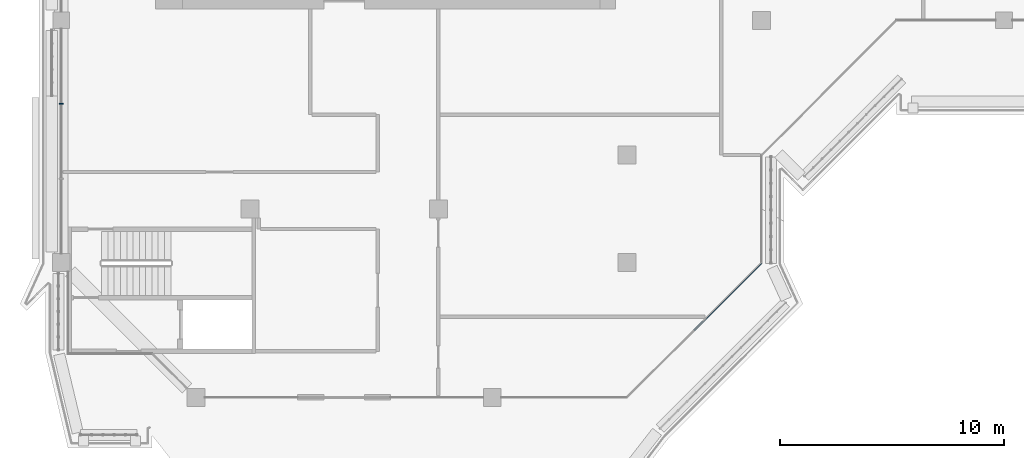
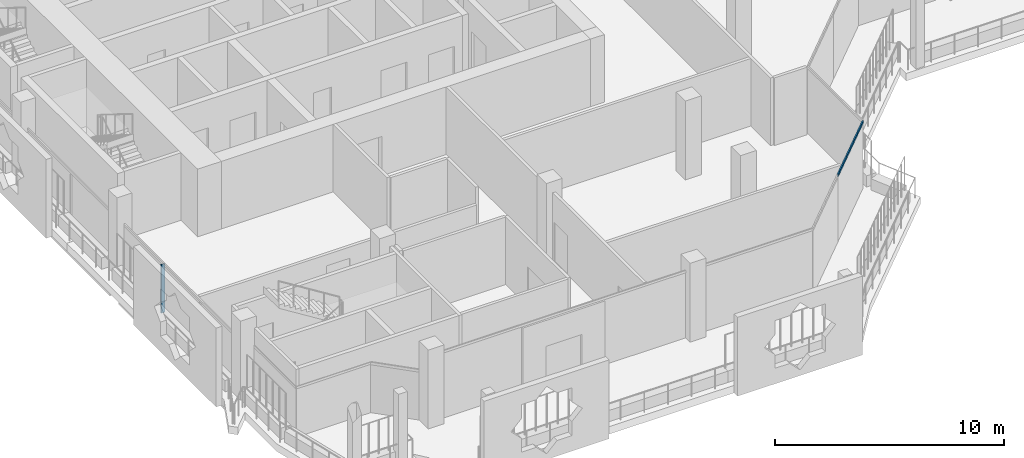
# One storey, part 3 of 21: 2 members, 2 elements without a shape of their own.
"""IFC4 building model written with IfcOpenShell, lengths in metres."""

from ifc_helpers import new_model, si_unit, direction, frame, origin, origin_2d, place, context, subcontext, project, spatial, rectangle, extrude, material, layer, layer_set, material_profile, profile_set, type_object, element, aggregate, save


model = new_model("IFC4")

# Units and contexts
model_context = context("Model", 3, precision=1e-05, world=origin(), true_north=direction((0.0, 1.0)))
body_context = subcontext(model_context, "Body", "Model", "MODEL_VIEW")
ifc_project = project(units=[si_unit("LENGTHUNIT", "METRE"), si_unit("AREAUNIT", "SQUARE_METRE"), si_unit("VOLUMEUNIT", "CUBIC_METRE"), si_unit("PLANEANGLEUNIT", "RADIAN"), si_unit("MASSUNIT", "GRAM", prefix="KILO")], contexts=[model_context])

# Site, building, storey
site_placement = place(None, origin())
site = spatial("IfcSite", under=ifc_project, at=site_placement, CompositionType="ELEMENT")
building_placement = place(site_placement, origin())
building = spatial("IfcBuilding", under=site, at=building_placement, Name="Kawkab Arch Medical Tower", CompositionType="ELEMENT")
storey_placement = place(building_placement, frame((0.0, 0.0, 315.39990234375)))
storey = spatial("IfcBuildingStorey", under=building, at=storey_placement, Name="L73", CompositionType="ELEMENT", Elevation=315.39990234375)

# Curtain wall, member
ifc_material_1 = material(Name="Bronze anodised aluminium curtain wall frame", Category="aluminium")
ifc_layer_1 = layer(ifc_material_1, 0.159912109375)
ifc_layer_set_1 = layer_set([ifc_layer_1], Name="Bronze anodised aluminium curtain wall frame")
curtain_wall_type_1 = type_object("IfcCurtainWallType", Name="CW1 ward curtain wall", PredefinedType="NOTDEFINED", material=ifc_layer_set_1)
placement = place(storey_placement, origin())
curtain_wall_1 = element("IfcCurtainWall", 1, at=placement, inside=storey, type_object=curtain_wall_type_1, Name="CW1 Ward curtain wall R02", PredefinedType="NOTDEFINED")
ifc_material_2 = material(Name="Bronze anodised aluminium curtain wall frame", Category="aluminium")
ifc_material_profile_1 = material_profile(ifc_material_2, rectangle(XDim=0.179931640625, YDim=0.06005859375, at=origin_2d()), Name="AL 60x180")
ifc_profile_set_1 = profile_set([ifc_material_profile_1], Name="Bronze anodised aluminium curtain wall frame")
member_type_1 = type_object("IfcMemberType", Name="CW1 mullion 60 x 180", PredefinedType="MULLION", material=ifc_profile_set_1)
member_1_placement = place(storey_placement, frame((0.0, -28.916748046875, 0.0), z_axis=(0.0, 0.0, 1.0), x_axis=(1.0, 0.0, 0.0)))
member_1 = element("IfcMember", 2, at=member_1_placement, type_object=member_type_1, Name="CW1 mullion 3.1", PredefinedType="MULLION", context=body_context, shape_type="SweptSolid", body=[
    extrude(rectangle(XDim=0.179931640625, YDim=0.06005859375, at=origin_2d()), origin(), (0.0, 0.0, 1.0), 2.580078125),
])
aggregate(curtain_wall_1, [member_1])

ifc_material_3 = material(Name="Bronze anodised aluminium curtain wall frame", Category="aluminium")
ifc_layer_2 = layer(ifc_material_3, 0.159912109375)
ifc_layer_set_2 = layer_set([ifc_layer_2], Name="Bronze anodised aluminium curtain wall frame")
curtain_wall_type_2 = type_object("IfcCurtainWallType", Name="CW2 chamfer curtain wall", PredefinedType="NOTDEFINED", material=ifc_layer_set_2)
curtain_wall_2 = element("IfcCurtainWall", 3, at=placement, inside=storey, type_object=curtain_wall_type_2, Name="CW2 Chamfer curtain wall R08", PredefinedType="NOTDEFINED")
ifc_material_4 = material(Name="Bronze anodised aluminium curtain wall frame", Category="aluminium")
ifc_material_profile_2 = material_profile(ifc_material_4, rectangle(XDim=0.06005859375, YDim=0.139892578125, at=origin_2d()), Name="AL 60x140")
ifc_profile_set_2 = profile_set([ifc_material_profile_2], Name="Bronze anodised aluminium curtain wall frame")
member_type_2 = type_object("IfcMemberType", Name="CW2 transom 140 x 60", PredefinedType="USERDEFINED", material=ifc_profile_set_2)
member_2_placement = place(storey_placement, frame((28.199951171875, -39.0, 3.530029296875), z_axis=(0.707106781187, 0.707106781187, 0.0), x_axis=(-0.707106781187, 0.707106781187, 0.0)))
member_2 = element("IfcMember", 4, at=member_2_placement, type_object=member_type_2, Name="CW2 transom 2", ObjectType="TRANSOM", PredefinedType="USERDEFINED", context=body_context, shape_type="SweptSolid", body=[
    extrude(rectangle(XDim=0.06005859375, YDim=0.139892578125, at=origin_2d()), origin(), (0.0, 0.0, 1.0), 4.24267578125),
])
aggregate(curtain_wall_2, [member_2])

save(model, "model.ifc")
